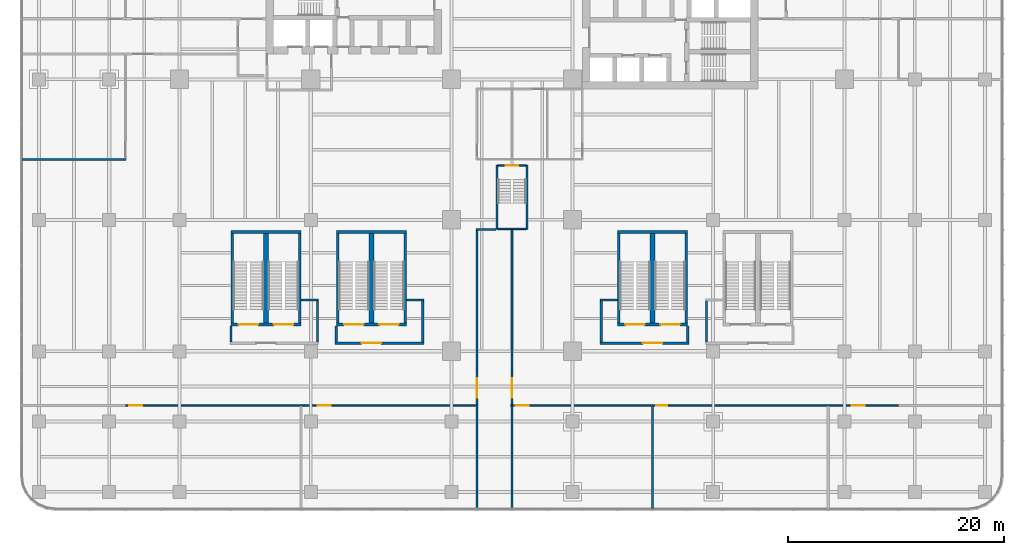
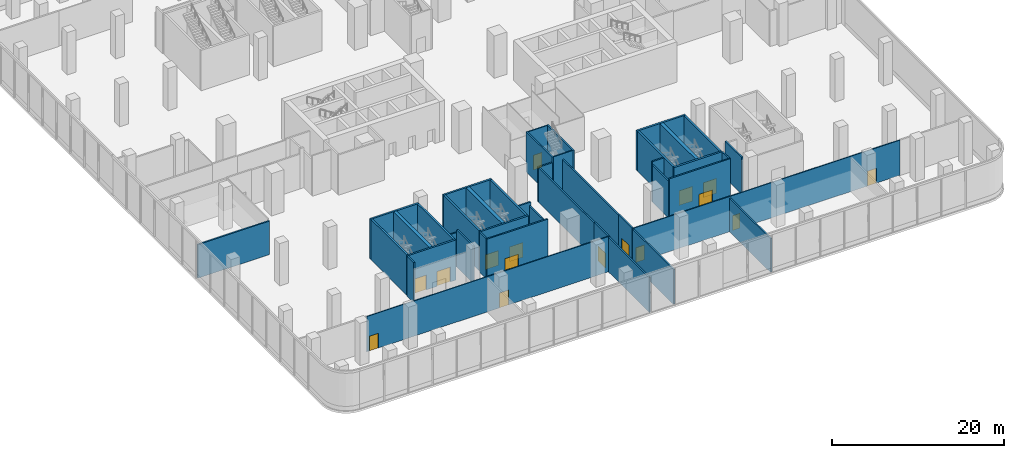
# One storey, part 33 of 41: 42 walls, 16 doors, 16 openings.
"""IFC4 building model written with IfcOpenShell, lengths in metres."""

import ifcopenshell
import ifcopenshell.guid

model = None  # the IFC model being written
_history = None  # IfcOwnerHistory: only IFC2X3 demands one
_inside = {}  # id of a spatial element -> (the spatial element, [elements in it])
_under = {}  # id of a project, library or spatial element -> (it, [spatial elements below it])
_declared = {}  # id of a project -> (the project, [libraries it declares])
_typed = {}  # id of a type object -> (the type object, [elements of that type])
_made_of = {}  # id of a material, layer set ... -> (it, [elements and type objects made of it])


def new_model(schema):
    """Start an empty IFC model of exactly this schema.

    Asked for "IFC4X3", IfcOpenShell would pick the latest addendum, in which some entities
    have other attributes; the version numbers below select the first issue.
    IFC2X3 requires an IfcOwnerHistory on every rooted entity: one is made here for all.
    """
    global model, _history
    if schema == "IFC4X3":
        model = ifcopenshell.file(schema_version=(4, 3, 0, 0))
    else:
        model = ifcopenshell.file(schema=schema)
    _inside.clear()
    _under.clear()
    _declared.clear()
    _typed.clear()
    _made_of.clear()
    _history = None
    if model.schema == "IFC2X3":
        org = make("IfcOrganization", Name="unknown")
        user = make(
            "IfcPersonAndOrganization",
            ThePerson=make("IfcPerson", FamilyName="unknown"),
            TheOrganization=org,
        )
        app = make(
            "IfcApplication",
            ApplicationDeveloper=org,
            Version="unknown",
            ApplicationFullName="unknown",
            ApplicationIdentifier="unknown",
        )
        _history = make(
            "IfcOwnerHistory",
            OwningUser=user,
            OwningApplication=app,
            ChangeAction="ADDED",
            CreationDate=0,
        )
    return model


def make(cls, **values):
    """One entity of the class cls with the attributes given. An attribute that is None is left unset."""
    return model.create_entity(
        cls, **{name: value for name, value in values.items() if value is not None}
    )


def rooted(cls, **values):
    """An entity with a GlobalId (a new one), such as an element, a storey or a relation."""
    return make(cls, GlobalId=ifcopenshell.guid.new(), OwnerHistory=_history, **values)


def si_unit(unit_type, name, prefix=None):
    """IfcSIUnit, for example si_unit("LENGTHUNIT", "METRE", prefix="MILLI")."""
    return make("IfcSIUnit", UnitType=unit_type, Prefix=prefix, Name=name)


def assignment(units):
    """IfcUnitAssignment: the units of a project."""
    return None if units is None else make("IfcUnitAssignment", Units=units)


def point(xyz):
    """IfcCartesianPoint."""
    return None if xyz is None else make("IfcCartesianPoint", Coordinates=xyz)


def direction(xyz):
    """IfcDirection."""
    return None if xyz is None else make("IfcDirection", DirectionRatios=xyz)


def frame(location, z_axis=None, x_axis=None):
    """IfcAxis2Placement3D, a coordinate frame: its origin and axes. An axis left out is left unset."""
    return make(
        "IfcAxis2Placement3D",
        Location=point(location),
        Axis=direction(z_axis),
        RefDirection=direction(x_axis),
    )


def frame_2d(location, x_axis=None):
    """IfcAxis2Placement2D, a coordinate frame in the plane: its origin and x axis."""
    return make(
        "IfcAxis2Placement2D", Location=point(location), RefDirection=direction(x_axis)
    )


def origin():
    """The frame at (0, 0, 0) with its axes left unset."""
    return frame((0.0, 0.0, 0.0))


def place(relative_to, where):
    """IfcLocalPlacement: puts the frame where relative to a parent placement (None: the world)."""
    return make(
        "IfcLocalPlacement", PlacementRelTo=relative_to, RelativePlacement=where
    )


def context(
    kind, dimensions, precision=None, world=None, true_north=None, identifier=None
):
    """IfcGeometricRepresentationContext, for example the 3D "Model" context."""
    return make(
        "IfcGeometricRepresentationContext",
        ContextIdentifier=identifier,
        ContextType=kind,
        CoordinateSpaceDimension=dimensions,
        Precision=precision,
        WorldCoordinateSystem=world,
        TrueNorth=true_north,
    )


def subcontext(parent, identifier, kind, view, scale=None):
    """IfcGeometricRepresentationSubContext, for example "Body" below "Model"."""
    return make(
        "IfcGeometricRepresentationSubContext",
        ContextIdentifier=identifier,
        ContextType=kind,
        ParentContext=parent,
        TargetScale=scale,
        TargetView=view,
    )


def project(units=None, contexts=None):
    """IfcProject with its units and contexts."""
    return rooted(
        "IfcProject",
        Name="project",
        RepresentationContexts=contexts,
        UnitsInContext=assignment(units),
    )


def spatial(cls, under=None, at=None, **own):
    """A site, building, storey or space (cls), placed at a placement, below another one or the project."""
    s = rooted(cls, ObjectPlacement=at, **own)
    if under is not None:
        _under.setdefault(under.id(), (under, []))[1].append(s)
    return s


def profile(cls, at=None, kind="AREA", **sizes):
    """A parametric profile (cls). Its sizes go by their IFC names, for example OverallWidth=200.0."""
    return make(cls, ProfileType=kind, Position=at, **sizes)


def rectangle(**sizes):
    """IfcRectangleProfileDef."""
    return profile("IfcRectangleProfileDef", **sizes)


def extrude(swept, where, along, depth):
    """IfcExtrudedAreaSolid: the profile swept, set in the frame where, extruded along a direction by depth."""
    return make(
        "IfcExtrudedAreaSolid",
        SweptArea=swept,
        Position=where,
        ExtrudedDirection=direction(along),
        Depth=depth,
    )


def shape(context_of_items, identifier, shape_type, items):
    """IfcShapeRepresentation: the items that make up one representation, for example the "Body"."""
    return make(
        "IfcShapeRepresentation",
        ContextOfItems=context_of_items,
        RepresentationIdentifier=identifier,
        RepresentationType=shape_type,
        Items=items,
    )


def source(mapping_origin, context_of_items, identifier, shape_type, items):
    """IfcRepresentationMap: a shape defined once, which mapped items show again and again."""
    return make(
        "IfcRepresentationMap",
        MappingOrigin=mapping_origin,
        MappedRepresentation=shape(context_of_items, identifier, shape_type, items),
    )


def transform(
    local_origin,
    x_axis=None,
    y_axis=None,
    z_axis=None,
    scale=None,
    scale2=None,
    scale3=None,
    uniform=True,
):
    """IfcCartesianTransformationOperator3D, or its non-uniform kind. x_axis, y_axis, z_axis: its Axis1, 2, 3."""
    if uniform:
        return make(
            "IfcCartesianTransformationOperator3D",
            Axis1=direction(x_axis),
            Axis2=direction(y_axis),
            LocalOrigin=point(local_origin),
            Scale=scale,
            Axis3=direction(z_axis),
        )
    return make(
        "IfcCartesianTransformationOperator3DnonUniform",
        Axis1=direction(x_axis),
        Axis2=direction(y_axis),
        LocalOrigin=point(local_origin),
        Scale=scale,
        Axis3=direction(z_axis),
        Scale2=scale2,
        Scale3=scale3,
    )


def mapped(mapping_source, mapping_target):
    """IfcMappedItem: shows the shape of a source again, moved by a transform."""
    return make(
        "IfcMappedItem", MappingSource=mapping_source, MappingTarget=mapping_target
    )


def material(Name=None, Category=None):
    """IfcMaterial."""
    return make("IfcMaterial", Name=Name, Category=Category)


def layer(
    of_material, thickness, ventilated=None, Name=None, Category=None, Priority=None
):
    """IfcMaterialLayer: one layer of a wall or slab, of a material (None: an air gap)."""
    return make(
        "IfcMaterialLayer",
        Material=of_material,
        LayerThickness=thickness,
        IsVentilated=ventilated,
        Name=Name,
        Category=Category,
        Priority=Priority,
    )


def layer_set(layers, Name=None):
    """IfcMaterialLayerSet."""
    return make("IfcMaterialLayerSet", MaterialLayers=layers, LayerSetName=Name)


def made_of(thing, what):
    """Note that an element or type object is made of a material, layer set ...; save() writes the relation."""
    if what is not None:
        _made_of.setdefault(what.id(), (what, []))[1].append(thing)
    return thing


def type_object(cls, material=None, **own):
    """A type object (cls), such as IfcWallType, which elements share."""
    return made_of(rooted(cls, **own), material)


def element(
    cls,
    number,
    at=None,
    inside=None,
    cuts=None,
    type_object=None,
    material=None,
    context=None,
    identifier="Body",
    shape_type=None,
    held_by="IfcProductDefinitionShape",
    body=None,
    shapes=None,
    **own,
):
    """One element of the class cls, such as IfcWall. Its Tag is "e" and its number.

    at: its placement. inside: the storey or other place that contains it. cuts: it is an
    opening in that element (IfcRelVoidsElement). A single representation is given by context,
    identifier, shape_type and body (its items); several are given by shapes. held_by: the class
    of the entity that holds the representations. save() writes the other relations.
    """
    e = rooted(cls, Tag="e%d" % number, ObjectPlacement=at, **own)
    if body is not None:
        shapes = [shape(context, identifier, shape_type, body)]
    if shapes is not None:
        e.Representation = make(held_by, Representations=shapes)
    if inside is not None:
        _inside.setdefault(inside.id(), (inside, []))[1].append(e)
    if cuts is not None:
        rooted(
            "IfcRelVoidsElement", RelatingBuildingElement=cuts, RelatedOpeningElement=e
        )
    if type_object is not None:
        _typed.setdefault(type_object.id(), (type_object, []))[1].append(e)
    return made_of(e, material)


def fill(opening, filler):
    """IfcRelFillsElement: the door or window that sits in an opening."""
    return rooted(
        "IfcRelFillsElement",
        RelatingOpeningElement=opening,
        RelatedBuildingElement=filler,
    )


def aggregate(whole, parts):
    """IfcRelAggregates: a whole, such as a stair, and the parts it consists of."""
    return rooted("IfcRelAggregates", RelatingObject=whole, RelatedObjects=parts)


def save(model, path):
    """Write the relations noted so far, then the file.

    IfcRelAggregates (storeys below a building ...), IfcRelContainedInSpatialStructure (elements
    in a storey), IfcRelDefinesByType, IfcRelAssociatesMaterial and IfcRelDeclares: one each for
    every whole, place, type object, material and project.
    """
    for whole, parts in _under.values():
        aggregate(whole, parts)
    for where, things in _inside.values():
        rooted(
            "IfcRelContainedInSpatialStructure",
            RelatedElements=things,
            RelatingStructure=where,
        )
    for kind, things in _typed.values():
        rooted("IfcRelDefinesByType", RelatedObjects=things, RelatingType=kind)
    for what, things in _made_of.values():
        rooted("IfcRelAssociatesMaterial", RelatedObjects=things, RelatingMaterial=what)
    for by, libraries in _declared.values():
        rooted("IfcRelDeclares", RelatingContext=by, RelatedDefinitions=libraries)
    model.write(path)


model = new_model("IFC4")

# Units and contexts
model_context = context("Model", 3, precision=1e-05, world=origin(), true_north=direction((0.0, 1.0)))
body_context = subcontext(model_context, "Body", "Model", "MODEL_VIEW")
ifc_project = project(units=[si_unit("LENGTHUNIT", "METRE"), si_unit("AREAUNIT", "SQUARE_METRE"), si_unit("VOLUMEUNIT", "CUBIC_METRE"), si_unit("PLANEANGLEUNIT", "RADIAN"), si_unit("MASSUNIT", "GRAM", prefix="KILO")], contexts=[model_context])

# Site, building, storey
site_placement = place(None, origin())
site = spatial("IfcSite", under=ifc_project, at=site_placement, CompositionType="ELEMENT")
building_placement = place(site_placement, origin())
building = spatial("IfcBuilding", under=site, at=building_placement, Name="Trellis Farm Tower", CompositionType="ELEMENT")
storey_placement = place(building_placement, frame((0.0, 0.0, 8.0)))
storey = spatial("IfcBuildingStorey", under=building, at=storey_placement, Name="L01", CompositionType="ELEMENT", Elevation=8.0)

# Wall
ifc_material_1 = material(Name="Lightweight blockwork, plastered", Category="masonry")
ifc_layer_1 = layer(ifc_material_1, 0.199951171875)
ifc_layer_set_1 = layer_set([ifc_layer_1], Name="BLOCK WALL 200 EI 120")
wall_type_1 = type_object("IfcWallType", Name="BLOCK WALL 200 EI 120", PredefinedType="PARTITIONING", material=ifc_layer_set_1)
wall_1_placement = place(storey_placement, frame((13.0, -45.300048828125, 0.0), z_axis=(0.0, 0.0, 1.0), x_axis=(0.0, 1.0, 0.0)))
element("IfcWall", 1, at=wall_1_placement, inside=storey, type_object=wall_type_1, Name="Partition PW3", PredefinedType="PARTITIONING", context=body_context, shape_type="SweptSolid", body=[
    extrude(rectangle(XDim=9.487548828125, YDim=0.199951171875, at=frame_2d((4.74365234375, 0.0))), origin(), (0.0, 0.0, 1.0), 4.76171875),
])

# Wall, openings, doors
ifc_material_2 = material(Name="Plasterboard on steel studs, mineral wool", Category="steel")
ifc_layer_2 = layer(ifc_material_2, 0.125)
ifc_layer_set_2 = layer_set([ifc_layer_2], Name="PARTITION 125 STUD EI 60")
wall_type_2 = type_object("IfcWallType", Name="PARTITION 125 STUD EI 60", PredefinedType="PARTITIONING", material=ifc_layer_set_2)
wall_2_placement = place(storey_placement, frame((-3.14990234375, -35.75, 0.0), z_axis=(0.0, 0.0, 1.0), x_axis=(-1.0, 0.0, 0.0)))
wall_2 = element("IfcWall", 2, at=wall_2_placement, inside=storey, type_object=wall_type_2, Name="Partition PW1", PredefinedType="PARTITIONING", context=body_context, shape_type="SweptSolid", body=[
    extrude(rectangle(XDim=32.60009765625, YDim=0.125, at=frame_2d((16.300048828125, 0.0))), origin(), (0.0, 0.0, 1.0), 4.99658203125),
])
shared_shape_1 = source(origin(), body_context, "Body", "SweptSolid", [
    extrude(rectangle(XDim=1.199951171875, YDim=2.10009765625, at=frame_2d((0.60009765625, 1.050048828125))), frame((0.0, 0.072509765625, 0.0), z_axis=(0.0, -1.0, 0.0), x_axis=(1.0, 0.0, 0.0)), (0.0, 0.0, 1.0), 0.14501953125),
])
opening_1_placement = place(wall_2_placement, frame((31.050048828125, 0.0, 0.0)))
opening_1 = element("IfcOpeningElement", 3, at=opening_1_placement, cuts=wall_2, Name="Opening D601", PredefinedType="OPENING", context=body_context, shape_type="MappedRepresentation", body=[
    mapped(shared_shape_1, transform((0.0, 0.0, 0.0))),
])
opening_2_placement = place(wall_2_placement, frame((13.60009765625, 0.0, 0.0)))
opening_2 = element("IfcOpeningElement", 4, at=opening_2_placement, cuts=wall_2, Name="Opening D602", PredefinedType="OPENING", context=body_context, shape_type="MappedRepresentation", body=[
    mapped(shared_shape_1, transform((0.0, 0.0, 0.0))),
])
ifc_material_3 = material(Name="Fire-rated timber door leaf in a hollow metal frame", Category="wood")
door_type_1 = type_object("IfcDoorType", Name="DOOR 1200x2100 FD30S", OperationType="NOTDEFINED", PredefinedType="DOOR", material=ifc_material_3)
shared_shape_2 = source(origin(), body_context, "Body", "SweptSolid", [
    extrude(rectangle(XDim=1.199951171875, YDim=2.10009765625, at=frame_2d((0.60009765625, 1.050048828125))), frame((0.0, 0.02490234375, 0.0), z_axis=(0.0, -1.0, 0.0), x_axis=(1.0, 0.0, 0.0)), (0.0, 0.0, 1.0), 0.050048828125),
])
door_1_placement = place(opening_1_placement, origin())
door_1 = element("IfcDoor", 5, at=door_1_placement, inside=storey, type_object=door_type_1, Name="Door D601", OperationType="SINGLE_SWING_RIGHT", OverallHeight=2.10009765625, OverallWidth=1.199951171875, PredefinedType="DOOR", context=body_context, shape_type="MappedRepresentation", body=[
    mapped(shared_shape_2, transform((0.0, 0.0, 0.0))),
])
fill(opening_1, door_1)
door_2_placement = place(opening_2_placement, origin())
door_2 = element("IfcDoor", 6, at=door_2_placement, inside=storey, type_object=door_type_1, Name="Door D602", OperationType="SINGLE_SWING_RIGHT", OverallHeight=2.10009765625, OverallWidth=1.199951171875, PredefinedType="DOOR", context=body_context, shape_type="MappedRepresentation", body=[
    mapped(shared_shape_2, transform((0.0, 0.0, 0.0))),
])
fill(opening_2, door_2)

wall_3_placement = place(storey_placement, frame((35.75, -35.75, 0.0), z_axis=(0.0, 0.0, 1.0), x_axis=(-1.0, 0.0, 0.0)))
wall_3 = element("IfcWall", 7, at=wall_3_placement, inside=storey, type_object=wall_type_2, Name="Partition PW1", PredefinedType="PARTITIONING", context=body_context, shape_type="SweptSolid", body=[
    extrude(rectangle(XDim=35.85009765625, YDim=0.125, at=frame_2d((17.925048828125, 0.0))), origin(), (0.0, 0.0, 1.0), 4.99658203125),
])
opening_3_placement = place(wall_3_placement, frame((34.199951171875, 0.0, 0.0)))
opening_3 = element("IfcOpeningElement", 8, at=opening_3_placement, cuts=wall_3, Name="Opening D603", PredefinedType="OPENING", context=body_context, shape_type="MappedRepresentation", body=[
    mapped(shared_shape_1, transform((0.0, 0.0, 0.0))),
])
shared_shape_3 = source(origin(), body_context, "Body", "SweptSolid", [
    extrude(rectangle(XDim=1.0, YDim=2.10009765625, at=frame_2d((0.5, 1.050048828125))), frame((0.0, 0.072509765625, 0.0), z_axis=(0.0, -1.0, 0.0), x_axis=(1.0, 0.0, 0.0)), (0.0, 0.0, 1.0), 0.14501953125),
])
opening_4_placement = place(wall_3_placement, frame((21.39990234375, 0.0, 0.0)))
opening_4 = element("IfcOpeningElement", 9, at=opening_4_placement, cuts=wall_3, Name="Opening D301", PredefinedType="OPENING", context=body_context, shape_type="MappedRepresentation", body=[
    mapped(shared_shape_3, transform((0.0, 0.0, 0.0))),
])
opening_5_placement = place(wall_3_placement, frame((3.14990234375, 0.0, 0.0)))
opening_5 = element("IfcOpeningElement", 10, at=opening_5_placement, cuts=wall_3, Name="Opening D604", PredefinedType="OPENING", context=body_context, shape_type="MappedRepresentation", body=[
    mapped(shared_shape_1, transform((0.0, 0.0, 0.0))),
])
door_type_2 = type_object("IfcDoorType", Name="DOOR 1000x2100 FD60", OperationType="NOTDEFINED", PredefinedType="DOOR", material=ifc_material_3)
shared_shape_4 = source(origin(), body_context, "Body", "SweptSolid", [
    extrude(rectangle(XDim=1.0, YDim=2.10009765625, at=frame_2d((0.5, 1.050048828125))), frame((0.0, 0.02490234375, 0.0), z_axis=(0.0, -1.0, 0.0), x_axis=(1.0, 0.0, 0.0)), (0.0, 0.0, 1.0), 0.050048828125),
])
door_3_placement = place(opening_4_placement, origin())
door_3 = element("IfcDoor", 11, at=door_3_placement, inside=storey, type_object=door_type_2, Name="Door D301", OperationType="SINGLE_SWING_RIGHT", OverallHeight=2.10009765625, OverallWidth=1.0, PredefinedType="DOOR", context=body_context, shape_type="MappedRepresentation", body=[
    mapped(shared_shape_4, transform((0.0, 0.0, 0.0))),
])
fill(opening_4, door_3)
door_4_placement = place(opening_3_placement, origin())
door_4 = element("IfcDoor", 12, at=door_4_placement, inside=storey, type_object=door_type_1, Name="Door D603", OperationType="SINGLE_SWING_RIGHT", OverallHeight=2.10009765625, OverallWidth=1.199951171875, PredefinedType="DOOR", context=body_context, shape_type="MappedRepresentation", body=[
    mapped(shared_shape_2, transform((0.0, 0.0, 0.0))),
])
fill(opening_3, door_4)
door_5_placement = place(opening_5_placement, origin())
door_5 = element("IfcDoor", 13, at=door_5_placement, inside=storey, type_object=door_type_1, Name="Door D604", OperationType="SINGLE_SWING_RIGHT", OverallHeight=2.10009765625, OverallWidth=1.199951171875, PredefinedType="DOOR", context=body_context, shape_type="MappedRepresentation", body=[
    mapped(shared_shape_2, transform((0.0, 0.0, 0.0))),
])
fill(opening_5, door_5)

# Walls
ifc_material_4 = material(Name="Concrete C80/95", Category="concrete")
ifc_layer_3 = layer(ifc_material_4, 0.199951171875)
ifc_layer_set_3 = layer_set([ifc_layer_3], Name="CORE STAIR ENCLOSURE WALL 200 CONCRETE C80/95")
wall_type_3 = type_object("IfcWallType", Name="CORE STAIR ENCLOSURE WALL 200 CONCRETE C80/95", PredefinedType="SHEAR", material=ifc_layer_set_3)
shared_shape_5 = source(origin(), body_context, "Body", "SweptSolid", [
    extrude(rectangle(XDim=6.0, YDim=0.199951171875, at=frame_2d((3.0, 0.0))), origin(), (0.0, 0.0, 1.0), 5.699951171875),
])
for number, where, z_axis, x_axis, name in (
    (14, (1.39990234375, -13.5, 0.0), (0.0, 0.0, 1.0), (0.0, -1.0, 0.0), "Stair enclosure wall"),
    (15, (-1.39990234375, -13.5, 0.0), (0.0, 0.0, 1.0), (0.0, -1.0, 0.0), "Stair enclosure wall"),
):
    element("IfcWall", number, at=place(storey_placement, frame(where, z_axis=z_axis, x_axis=x_axis)), inside=storey, type_object=wall_type_3, Name=name, PredefinedType="SHEAR", context=body_context, shape_type="MappedRepresentation", body=[
        mapped(shared_shape_5, transform((0.0, 0.0, 0.0))),
    ])

# Wall, opening, door
ifc_layer_4 = layer(ifc_material_4, 0.14990234375)
ifc_layer_set_4 = layer_set([ifc_layer_4], Name="CORE STAIR ENCLOSURE WALL 150 CONCRETE C80/95")
wall_type_4 = type_object("IfcWallType", Name="CORE STAIR ENCLOSURE WALL 150 CONCRETE C80/95", PredefinedType="SHEAR", material=ifc_layer_set_4)
shared_shape_6 = source(origin(), body_context, "Body", "SweptSolid", [
    extrude(rectangle(XDim=2.60009765625, YDim=0.14990234375, at=frame_2d((1.300048828125, 0.0))), origin(), (0.0, 0.0, 1.0), 5.699951171875),
])
wall_4_placement = place(storey_placement, frame((1.300048828125, -13.574951171875, 0.0), z_axis=(0.0, 0.0, 1.0), x_axis=(-1.0, 0.0, 0.0)))
wall_4 = element("IfcWall", 16, at=wall_4_placement, inside=storey, type_object=wall_type_4, Name="Stair enclosure wall", PredefinedType="SHEAR", context=body_context, shape_type="MappedRepresentation", body=[
    mapped(shared_shape_6, transform((0.0, 0.0, 0.0))),
])
shared_shape_7 = source(origin(), body_context, "Body", "SweptSolid", [
    extrude(rectangle(XDim=1.199951171875, YDim=2.10009765625, at=frame_2d((0.60009765625, 1.050048828125))), frame((0.0, 0.0849609375, 0.0), z_axis=(0.0, -1.0, 0.0), x_axis=(1.0, 0.0, 0.0)), (0.0, 0.0, 1.0), 0.169921875),
])
opening_6_placement = place(wall_4_placement, frame((0.699951171875, 0.0, 0.0)))
opening_6 = element("IfcOpeningElement", 17, at=opening_6_placement, cuts=wall_4, Name="Opening DC174", PredefinedType="OPENING", context=body_context, shape_type="MappedRepresentation", body=[
    mapped(shared_shape_7, transform((0.0, 0.0, 0.0))),
])
ifc_material_5 = material(Name="Steel", Category="steel")
door_type_3 = type_object("IfcDoorType", Name="CORE FIRE DOOR 1200 X 2100", OperationType="NOTDEFINED", PredefinedType="DOOR", material=ifc_material_5)
door_6_placement = place(opening_6_placement, origin())
door_6 = element("IfcDoor", 18, at=door_6_placement, inside=storey, type_object=door_type_3, Name="Core door", OperationType="SINGLE_SWING_RIGHT", OverallHeight=2.10009765625, OverallWidth=1.199951171875, PredefinedType="DOOR", context=body_context, shape_type="MappedRepresentation", body=[
    mapped(shared_shape_2, transform((0.0, 0.0, 0.0))),
])
fill(opening_6, door_6)

# Wall
wall_5_placement = place(storey_placement, frame((1.300048828125, -19.425048828125, 0.0), z_axis=(0.0, 0.0, 1.0), x_axis=(-1.0, 0.0, 0.0)))
element("IfcWall", 19, at=wall_5_placement, inside=storey, type_object=wall_type_4, Name="Stair enclosure wall", PredefinedType="SHEAR", context=body_context, shape_type="MappedRepresentation", body=[
    mapped(shared_shape_6, transform((0.0, 0.0, 0.0))),
])

# Wall, openings, doors
ifc_layer_5 = layer(ifc_material_4, 0.25)
ifc_layer_set_5 = layer_set([ifc_layer_5], Name="CORE STAIR ENCLOSURE WALL 250 CONCRETE C80/95")
wall_type_5 = type_object("IfcWallType", Name="CORE STAIR ENCLOSURE WALL 250 CONCRETE C80/95", PredefinedType="SHEAR", material=ifc_layer_set_5)
shared_shape_8 = source(origin(), body_context, "Body", "SweptSolid", [
    extrude(rectangle(XDim=6.5, YDim=0.25, at=frame_2d((3.25, 0.0))), origin(), (0.0, 0.0, 1.0), 5.699951171875),
])
wall_6_placement = place(storey_placement, frame((-26.0, -28.27490234375, 0.0), z_axis=(0.0, 0.0, 1.0), x_axis=(1.0, 0.0, 0.0)))
wall_6 = element("IfcWall", 20, at=wall_6_placement, inside=storey, type_object=wall_type_5, Name="Podium stair enclosure wall", PredefinedType="SHEAR", context=body_context, shape_type="MappedRepresentation", body=[
    mapped(shared_shape_8, transform((0.0, 0.0, 0.0))),
])
shared_shape_9 = source(origin(), body_context, "Body", "SweptSolid", [
    extrude(rectangle(XDim=1.800048828125, YDim=2.10009765625, at=frame_2d((0.89990234375, 1.050048828125))), frame((0.0, 0.135009765625, 0.0), z_axis=(0.0, -1.0, 0.0), x_axis=(1.0, 0.0, 0.0)), (0.0, 0.0, 1.0), 0.27001953125),
])
opening_7_placement = place(wall_6_placement, frame((0.72509765625, 0.0, 0.0)))
opening_7 = element("IfcOpeningElement", 21, at=opening_7_placement, cuts=wall_6, Name="Opening DP9", PredefinedType="OPENING", context=body_context, shape_type="MappedRepresentation", body=[
    mapped(shared_shape_9, transform((0.0, 0.0, 0.0))),
])
opening_8_placement = place(wall_6_placement, frame((3.97509765625, 0.0, 0.0)))
opening_8 = element("IfcOpeningElement", 22, at=opening_8_placement, cuts=wall_6, Name="Opening DP10", PredefinedType="OPENING", context=body_context, shape_type="MappedRepresentation", body=[
    mapped(shared_shape_9, transform((0.0, 0.0, 0.0))),
])
door_type_4 = type_object("IfcDoorType", Name="CORE FIRE DOOR DOUBLE 1800 X 2100", OperationType="DOUBLE_DOOR_SINGLE_SWING", PredefinedType="DOOR", material=ifc_material_5)
shared_shape_10 = source(origin(), body_context, "Body", "SweptSolid", [
    extrude(rectangle(XDim=1.800048828125, YDim=2.10009765625, at=frame_2d((0.89990234375, 1.050048828125))), frame((0.0, 0.02490234375, 0.0), z_axis=(0.0, -1.0, 0.0), x_axis=(1.0, 0.0, 0.0)), (0.0, 0.0, 1.0), 0.050048828125),
])
door_7_placement = place(opening_7_placement, origin())
door_7 = element("IfcDoor", 23, at=door_7_placement, inside=storey, type_object=door_type_4, Name="Podium stair door", OperationType="DOUBLE_DOOR_SINGLE_SWING", OverallHeight=2.10009765625, OverallWidth=1.800048828125, PredefinedType="DOOR", context=body_context, shape_type="MappedRepresentation", body=[
    mapped(shared_shape_10, transform((0.0, 0.0, 0.0))),
])
fill(opening_7, door_7)
door_8_placement = place(opening_8_placement, origin())
door_8 = element("IfcDoor", 24, at=door_8_placement, inside=storey, type_object=door_type_4, Name="Podium stair door", OperationType="DOUBLE_DOOR_SINGLE_SWING", OverallHeight=2.10009765625, OverallWidth=1.800048828125, PredefinedType="DOOR", context=body_context, shape_type="MappedRepresentation", body=[
    mapped(shared_shape_10, transform((0.0, 0.0, 0.0))),
])
fill(opening_8, door_8)

# Wall
wall_7_placement = place(storey_placement, frame((-26.0, -19.72509765625, 0.0), z_axis=(0.0, 0.0, 1.0), x_axis=(1.0, 0.0, 0.0)))
element("IfcWall", 25, at=wall_7_placement, inside=storey, type_object=wall_type_5, Name="Podium stair enclosure wall", PredefinedType="SHEAR", context=body_context, shape_type="MappedRepresentation", body=[
    mapped(shared_shape_8, transform((0.0, 0.0, 0.0))),
])

# Wall, openings, doors
wall_8_placement = place(storey_placement, frame((-16.25, -28.27490234375, 0.0), z_axis=(0.0, 0.0, 1.0), x_axis=(1.0, 0.0, 0.0)))
wall_8 = element("IfcWall", 26, at=wall_8_placement, inside=storey, type_object=wall_type_5, Name="Podium stair enclosure wall", PredefinedType="SHEAR", context=body_context, shape_type="MappedRepresentation", body=[
    mapped(shared_shape_8, transform((0.0, 0.0, 0.0))),
])
opening_9_placement = place(wall_8_placement, frame((0.72509765625, 0.0, 0.0)))
opening_9 = element("IfcOpeningElement", 27, at=opening_9_placement, cuts=wall_8, Name="Opening DP11", PredefinedType="OPENING", context=body_context, shape_type="MappedRepresentation", body=[
    mapped(shared_shape_9, transform((0.0, 0.0, 0.0))),
])
opening_10_placement = place(wall_8_placement, frame((3.97509765625, 0.0, 0.0)))
opening_10 = element("IfcOpeningElement", 28, at=opening_10_placement, cuts=wall_8, Name="Opening DP12", PredefinedType="OPENING", context=body_context, shape_type="MappedRepresentation", body=[
    mapped(shared_shape_9, transform((0.0, 0.0, 0.0))),
])
door_9_placement = place(opening_9_placement, origin())
door_9 = element("IfcDoor", 29, at=door_9_placement, inside=storey, type_object=door_type_4, Name="Podium stair door", OperationType="DOUBLE_DOOR_SINGLE_SWING", OverallHeight=2.10009765625, OverallWidth=1.800048828125, PredefinedType="DOOR", context=body_context, shape_type="MappedRepresentation", body=[
    mapped(shared_shape_10, transform((0.0, 0.0, 0.0))),
])
fill(opening_9, door_9)
door_10_placement = place(opening_10_placement, origin())
door_10 = element("IfcDoor", 30, at=door_10_placement, inside=storey, type_object=door_type_4, Name="Podium stair door", OperationType="DOUBLE_DOOR_SINGLE_SWING", OverallHeight=2.10009765625, OverallWidth=1.800048828125, PredefinedType="DOOR", context=body_context, shape_type="MappedRepresentation", body=[
    mapped(shared_shape_10, transform((0.0, 0.0, 0.0))),
])
fill(opening_10, door_10)

# Wall
wall_9_placement = place(storey_placement, frame((-16.25, -19.72509765625, 0.0), z_axis=(0.0, 0.0, 1.0), x_axis=(1.0, 0.0, 0.0)))
element("IfcWall", 31, at=wall_9_placement, inside=storey, type_object=wall_type_5, Name="Podium stair enclosure wall", PredefinedType="SHEAR", context=body_context, shape_type="MappedRepresentation", body=[
    mapped(shared_shape_8, transform((0.0, 0.0, 0.0))),
])

# Wall, openings, doors
wall_10_placement = place(storey_placement, frame((9.75, -28.27490234375, 0.0), z_axis=(0.0, 0.0, 1.0), x_axis=(1.0, 0.0, 0.0)))
wall_10 = element("IfcWall", 32, at=wall_10_placement, inside=storey, type_object=wall_type_5, Name="Podium stair enclosure wall", PredefinedType="SHEAR", context=body_context, shape_type="MappedRepresentation", body=[
    mapped(shared_shape_8, transform((0.0, 0.0, 0.0))),
])
opening_11_placement = place(wall_10_placement, frame((0.72509765625, 0.0, 0.0)))
opening_11 = element("IfcOpeningElement", 33, at=opening_11_placement, cuts=wall_10, Name="Opening DP13", PredefinedType="OPENING", context=body_context, shape_type="MappedRepresentation", body=[
    mapped(shared_shape_9, transform((0.0, 0.0, 0.0))),
])
opening_12_placement = place(wall_10_placement, frame((3.97509765625, 0.0, 0.0)))
opening_12 = element("IfcOpeningElement", 34, at=opening_12_placement, cuts=wall_10, Name="Opening DP14", PredefinedType="OPENING", context=body_context, shape_type="MappedRepresentation", body=[
    mapped(shared_shape_9, transform((0.0, 0.0, 0.0))),
])
door_11_placement = place(opening_11_placement, origin())
door_11 = element("IfcDoor", 35, at=door_11_placement, inside=storey, type_object=door_type_4, Name="Podium stair door", OperationType="DOUBLE_DOOR_SINGLE_SWING", OverallHeight=2.10009765625, OverallWidth=1.800048828125, PredefinedType="DOOR", context=body_context, shape_type="MappedRepresentation", body=[
    mapped(shared_shape_10, transform((0.0, 0.0, 0.0))),
])
fill(opening_11, door_11)
door_12_placement = place(opening_12_placement, origin())
door_12 = element("IfcDoor", 36, at=door_12_placement, inside=storey, type_object=door_type_4, Name="Podium stair door", OperationType="DOUBLE_DOOR_SINGLE_SWING", OverallHeight=2.10009765625, OverallWidth=1.800048828125, PredefinedType="DOOR", context=body_context, shape_type="MappedRepresentation", body=[
    mapped(shared_shape_10, transform((0.0, 0.0, 0.0))),
])
fill(opening_12, door_12)

# Walls
wall_11_placement = place(storey_placement, frame((9.75, -19.72509765625, 0.0), z_axis=(0.0, 0.0, 1.0), x_axis=(1.0, 0.0, 0.0)))
element("IfcWall", 37, at=wall_11_placement, inside=storey, type_object=wall_type_5, Name="Podium stair enclosure wall", PredefinedType="SHEAR", context=body_context, shape_type="MappedRepresentation", body=[
    mapped(shared_shape_8, transform((0.0, 0.0, 0.0))),
])
shared_shape_11 = source(origin(), body_context, "Body", "SweptSolid", [
    extrude(rectangle(XDim=8.2998046875, YDim=0.25, at=frame_2d((4.14990234375, 0.0))), origin(), (0.0, 0.0, 1.0), 5.699951171875),
])
for number, where, z_axis, x_axis, name in (
    (38, (-25.875, -28.14990234375, 0.0), (0.0, 0.0, 1.0), (0.0, 1.0, 0.0), "Podium stair enclosure wall"),
    (39, (-19.625, -28.14990234375, 0.0), (0.0, 0.0, 1.0), (0.0, 1.0, 0.0), "Podium stair enclosure wall"),
    (40, (-16.125, -28.14990234375, 0.0), (0.0, 0.0, 1.0), (0.0, 1.0, 0.0), "Podium stair enclosure wall"),
    (41, (-9.875, -28.14990234375, 0.0), (0.0, 0.0, 1.0), (0.0, 1.0, 0.0), "Podium stair enclosure wall"),
    (42, (9.875, -28.14990234375, 0.0), (0.0, 0.0, 1.0), (0.0, 1.0, 0.0), "Podium stair enclosure wall"),
    (43, (16.125, -28.14990234375, 0.0), (0.0, 0.0, 1.0), (0.0, 1.0, 0.0), "Podium stair enclosure wall"),
):
    element("IfcWall", number, at=place(storey_placement, frame(where, z_axis=z_axis, x_axis=x_axis)), inside=storey, type_object=wall_type_5, Name=name, PredefinedType="SHEAR", context=body_context, shape_type="MappedRepresentation", body=[
        mapped(shared_shape_11, transform((0.0, 0.0, 0.0))),
    ])
ifc_layer_6 = layer(ifc_material_4, 0.43994140625)
ifc_layer_set_6 = layer_set([ifc_layer_6], Name="CORE STAIR ENCLOSURE WALL 440 CONCRETE C80/95")
wall_type_6 = type_object("IfcWallType", Name="CORE STAIR ENCLOSURE WALL 440 CONCRETE C80/95", PredefinedType="SHEAR", material=ifc_layer_set_6)
shared_shape_12 = source(origin(), body_context, "Body", "SweptSolid", [
    extrude(rectangle(XDim=8.2998046875, YDim=0.43994140625, at=frame_2d((4.14990234375, 0.0))), origin(), (0.0, 0.0, 1.0), 5.699951171875),
])
for number, where, z_axis, x_axis, name in (
    (44, (-22.75, -28.14990234375, 0.0), (0.0, 0.0, 1.0), (0.0, 1.0, 0.0), "Podium stair enclosure wall"),
    (45, (-13.0, -28.14990234375, 0.0), (0.0, 0.0, 1.0), (0.0, 1.0, 0.0), "Podium stair enclosure wall"),
    (46, (13.0, -28.14990234375, 0.0), (0.0, 0.0, 1.0), (0.0, 1.0, 0.0), "Podium stair enclosure wall"),
):
    element("IfcWall", number, at=place(storey_placement, frame(where, z_axis=z_axis, x_axis=x_axis)), inside=storey, type_object=wall_type_6, Name=name, PredefinedType="SHEAR", context=body_context, shape_type="MappedRepresentation", body=[
        mapped(shared_shape_12, transform((0.0, 0.0, 0.0))),
    ])
shared_shape_13 = source(origin(), body_context, "Body", "SweptSolid", [
    extrude(rectangle(XDim=1.5, YDim=0.199951171875, at=frame_2d((0.75, 0.0))), origin(), (0.0, 0.0, 1.0), 5.699951171875),
])
for number, where, z_axis, x_axis, name in (
    (47, (-26.0, -28.39990234375, 0.0), (0.0, 0.0, 1.0), (0.0, -1.0, 0.0), "Partition PW3"),
    (48, (-16.25, -29.89990234375, 0.0), (0.0, 0.0, 1.0), (0.0, 1.0, 0.0), "Partition PW3"),
    (49, (16.25, -29.89990234375, 0.0), (0.0, 0.0, 1.0), (0.0, 1.0, 0.0), "Partition PW3"),
):
    element("IfcWall", number, at=place(storey_placement, frame(where, z_axis=z_axis, x_axis=x_axis)), inside=storey, type_object=wall_type_1, Name=name, PredefinedType="PARTITIONING", context=body_context, shape_type="MappedRepresentation", body=[
        mapped(shared_shape_13, transform((0.0, 0.0, 0.0))),
    ])
shared_shape_14 = source(origin(), body_context, "Body", "SweptSolid", [
    extrude(rectangle(XDim=3.7998046875, YDim=0.199951171875, at=frame_2d((1.89990234375, 0.0))), origin(), (0.0, 0.0, 1.0), 5.222900390625),
])
for number, where, z_axis, x_axis, name in (
    (50, (-18.0, -26.10009765625, 0.0), (0.0, 0.0, 1.0), (0.0, -1.0, 0.0), "Partition PW3"),
    (51, (-8.25, -29.89990234375, 0.0), (0.0, 0.0, 1.0), (0.0, 1.0, 0.0), "Partition PW3"),
    (52, (8.25, -29.89990234375, 0.0), (0.0, 0.0, 1.0), (0.0, 1.0, 0.0), "Partition PW3"),
    (53, (18.0, -29.89990234375, 0.0), (0.0, 0.0, 1.0), (0.0, 1.0, 0.0), "Partition PW3"),
):
    element("IfcWall", number, at=place(storey_placement, frame(where, z_axis=z_axis, x_axis=x_axis)), inside=storey, type_object=wall_type_1, Name=name, PredefinedType="PARTITIONING", context=body_context, shape_type="MappedRepresentation", body=[
        mapped(shared_shape_14, transform((0.0, 0.0, 0.0))),
    ])
shared_shape_15 = source(origin(), body_context, "Body", "SweptSolid", [
    extrude(rectangle(XDim=12.89990234375, YDim=0.199951171875, at=frame_2d((6.449951171875, 0.0))), origin(), (0.0, 0.0, 1.0), 4.917724609375),
])
wall_12_placement = place(storey_placement, frame((-3.25, -32.5, 0.0), z_axis=(0.0, 0.0, 1.0), x_axis=(0.0, 1.0, 0.0)))
element("IfcWall", 54, at=wall_12_placement, inside=storey, type_object=wall_type_1, Name="Partition PW3", PredefinedType="PARTITIONING", context=body_context, shape_type="MappedRepresentation", body=[
    mapped(shared_shape_15, transform((0.0, 0.0, 0.0))),
])

# Wall, opening, door
shared_shape_16 = source(origin(), body_context, "Body", "SweptSolid", [
    extrude(rectangle(XDim=3.1875, YDim=0.199951171875, at=frame_2d((1.59375, 0.0))), origin(), (0.0, 0.0, 1.0), 4.99658203125),
])
wall_13_placement = place(storey_placement, frame((-3.25, -35.6875, 0.0), z_axis=(0.0, 0.0, 1.0), x_axis=(0.0, 1.0, 0.0)))
wall_13 = element("IfcWall", 55, at=wall_13_placement, inside=storey, type_object=wall_type_1, Name="Partition PW3", PredefinedType="PARTITIONING", context=body_context, shape_type="MappedRepresentation", body=[
    mapped(shared_shape_16, transform((0.0, 0.0, 0.0))),
])
shared_shape_17 = source(origin(), body_context, "Body", "SweptSolid", [
    extrude(rectangle(XDim=1.800048828125, YDim=2.10009765625, at=frame_2d((0.89990234375, 1.050048828125))), frame((0.0, 0.110107421875, 0.0), z_axis=(0.0, -1.0, 0.0), x_axis=(1.0, 0.0, 0.0)), (0.0, 0.0, 1.0), 0.22021484375),
])
opening_13_placement = place(wall_13_placement, frame((0.66259765625, 0.0, 0.0)))
opening_13 = element("IfcOpeningElement", 56, at=opening_13_placement, cuts=wall_13, Name="Opening D401", PredefinedType="OPENING", context=body_context, shape_type="MappedRepresentation", body=[
    mapped(shared_shape_17, transform((0.0, 0.0, 0.0))),
])
door_type_5 = type_object("IfcDoorType", Name="DOOR PAIR 1800x2100 FD60", OperationType="NOTDEFINED", PredefinedType="DOOR", material=ifc_material_3)
door_13_placement = place(opening_13_placement, origin())
door_13 = element("IfcDoor", 57, at=door_13_placement, inside=storey, type_object=door_type_5, Name="Door D401", OperationType="DOUBLE_DOOR_SINGLE_SWING", OverallHeight=2.10009765625, OverallWidth=1.800048828125, PredefinedType="DOOR", context=body_context, shape_type="MappedRepresentation", body=[
    mapped(shared_shape_10, transform((0.0, 0.0, 0.0))),
])
fill(opening_13, door_13)

wall_14_placement = place(storey_placement, frame((0.0, -32.5, 0.0), z_axis=(0.0, 0.0, 1.0), x_axis=(0.0, -1.0, 0.0)))
wall_14 = element("IfcWall", 58, at=wall_14_placement, inside=storey, type_object=wall_type_1, Name="Partition PW3", PredefinedType="PARTITIONING", context=body_context, shape_type="MappedRepresentation", body=[
    mapped(shared_shape_16, transform((0.0, 0.0, 0.0))),
])
opening_14_placement = place(wall_14_placement, frame((0.72509765625, 0.0, 0.0)))
opening_14 = element("IfcOpeningElement", 59, at=opening_14_placement, cuts=wall_14, Name="Opening D402", PredefinedType="OPENING", context=body_context, shape_type="MappedRepresentation", body=[
    mapped(shared_shape_17, transform((0.0, 0.0, 0.0))),
])
door_14_placement = place(opening_14_placement, origin())
door_14 = element("IfcDoor", 60, at=door_14_placement, inside=storey, type_object=door_type_5, Name="Door D402", OperationType="DOUBLE_DOOR_SINGLE_SWING", OverallHeight=2.10009765625, OverallWidth=1.800048828125, PredefinedType="DOOR", context=body_context, shape_type="MappedRepresentation", body=[
    mapped(shared_shape_10, transform((0.0, 0.0, 0.0))),
])
fill(opening_14, door_14)

# Walls
shared_shape_18 = source(origin(), body_context, "Body", "SweptSolid", [
    extrude(rectangle(XDim=9.487548828125, YDim=0.199951171875, at=frame_2d((4.74365234375, 0.0))), origin(), (0.0, 0.0, 1.0), 4.917724609375),
])
for number, where, z_axis, x_axis, name in (
    (61, (-3.25, -45.300048828125, 0.0), (0.0, 0.0, 1.0), (0.0, 1.0, 0.0), "Partition PW3"),
    (62, (0.0, -35.8125, 0.0), (0.0, 0.0, 1.0), (0.0, -1.0, 0.0), "Partition PW3"),
):
    element("IfcWall", number, at=place(storey_placement, frame(where, z_axis=z_axis, x_axis=x_axis)), inside=storey, type_object=wall_type_1, Name=name, PredefinedType="PARTITIONING", context=body_context, shape_type="MappedRepresentation", body=[
        mapped(shared_shape_18, transform((0.0, 0.0, 0.0))),
    ])
shared_shape_19 = source(origin(), body_context, "Body", "SweptSolid", [
    extrude(rectangle(XDim=13.0, YDim=0.199951171875, at=frame_2d((6.5, 0.0))), origin(), (0.0, 0.0, 1.0), 4.917724609375),
])
wall_15_placement = place(storey_placement, frame((0.0, -32.5, 0.0), z_axis=(0.0, 0.0, 1.0), x_axis=(0.0, 1.0, 0.0)))
element("IfcWall", 63, at=wall_15_placement, inside=storey, type_object=wall_type_1, Name="Partition PW3", PredefinedType="PARTITIONING", context=body_context, shape_type="MappedRepresentation", body=[
    mapped(shared_shape_19, transform((0.0, 0.0, 0.0))),
])

# Wall, opening, door
shared_shape_20 = source(origin(), body_context, "Body", "SweptSolid", [
    extrude(rectangle(XDim=8.2001953125, YDim=0.199951171875, at=frame_2d((4.10009765625, 0.0))), origin(), (0.0, 0.0, 1.0), 5.699951171875),
])
wall_16_placement = place(storey_placement, frame((-16.35009765625, -30.0, 0.0), z_axis=(0.0, 0.0, 1.0), x_axis=(1.0, 0.0, 0.0)))
wall_16 = element("IfcWall", 64, at=wall_16_placement, inside=storey, type_object=wall_type_1, Name="Partition PW3", PredefinedType="PARTITIONING", context=body_context, shape_type="MappedRepresentation", body=[
    mapped(shared_shape_20, transform((0.0, 0.0, 0.0))),
])
opening_15_placement = place(wall_16_placement, frame((2.449951171875, 0.0, 0.0)))
opening_15 = element("IfcOpeningElement", 65, at=opening_15_placement, cuts=wall_16, Name="Opening D404", PredefinedType="OPENING", context=body_context, shape_type="MappedRepresentation", body=[
    mapped(shared_shape_17, transform((0.0, 0.0, 0.0))),
])
door_15_placement = place(opening_15_placement, origin())
door_15 = element("IfcDoor", 66, at=door_15_placement, inside=storey, type_object=door_type_5, Name="Door D404", OperationType="DOUBLE_DOOR_SINGLE_SWING", OverallHeight=2.10009765625, OverallWidth=1.800048828125, PredefinedType="DOOR", context=body_context, shape_type="MappedRepresentation", body=[
    mapped(shared_shape_10, transform((0.0, 0.0, 0.0))),
])
fill(opening_15, door_15)

wall_17_placement = place(storey_placement, frame((8.14990234375, -30.0, 0.0), z_axis=(0.0, 0.0, 1.0), x_axis=(1.0, 0.0, 0.0)))
wall_17 = element("IfcWall", 67, at=wall_17_placement, inside=storey, type_object=wall_type_1, Name="Partition PW3", PredefinedType="PARTITIONING", context=body_context, shape_type="MappedRepresentation", body=[
    mapped(shared_shape_20, transform((0.0, 0.0, 0.0))),
])
opening_16_placement = place(wall_17_placement, frame((3.949951171875, 0.0, 0.0)))
opening_16 = element("IfcOpeningElement", 68, at=opening_16_placement, cuts=wall_17, Name="Opening D405", PredefinedType="OPENING", context=body_context, shape_type="MappedRepresentation", body=[
    mapped(shared_shape_17, transform((0.0, 0.0, 0.0))),
])
door_16_placement = place(opening_16_placement, origin())
door_16 = element("IfcDoor", 69, at=door_16_placement, inside=storey, type_object=door_type_5, Name="Door D405", OperationType="DOUBLE_DOOR_SINGLE_SWING", OverallHeight=2.10009765625, OverallWidth=1.800048828125, PredefinedType="DOOR", context=body_context, shape_type="MappedRepresentation", body=[
    mapped(shared_shape_10, transform((0.0, 0.0, 0.0))),
])
fill(opening_16, door_16)

# Walls
shared_shape_21 = source(origin(), body_context, "Body", "SweptSolid", [
    extrude(rectangle(XDim=1.60009765625, YDim=0.199951171875, at=frame_2d((0.800048828125, 0.0))), origin(), (0.0, 0.0, 1.0), 5.699951171875),
])
for number, where, z_axis, x_axis, name in (
    (70, (-9.75, -26.0, 0.0), (0.0, 0.0, 1.0), (1.0, 0.0, 0.0), "Partition PW3"),
    (71, (8.14990234375, -26.0, 0.0), (0.0, 0.0, 1.0), (1.0, 0.0, 0.0), "Partition PW3"),
):
    element("IfcWall", number, at=place(storey_placement, frame(where, z_axis=z_axis, x_axis=x_axis)), inside=storey, type_object=wall_type_1, Name=name, PredefinedType="PARTITIONING", context=body_context, shape_type="MappedRepresentation", body=[
        mapped(shared_shape_21, transform((0.0, 0.0, 0.0))),
    ])
shared_shape_22 = source(origin(), body_context, "Body", "SweptSolid", [
    extrude(rectangle(XDim=1.60009765625, YDim=0.199951171875, at=frame_2d((0.800048828125, 0.0))), origin(), (0.0, 0.0, 1.0), 4.83935546875),
])
wall_18_placement = place(storey_placement, frame((-19.5, -26.0, 0.0), z_axis=(0.0, 0.0, 1.0), x_axis=(1.0, 0.0, 0.0)))
element("IfcWall", 72, at=wall_18_placement, inside=storey, type_object=wall_type_1, Name="Partition PW3", PredefinedType="PARTITIONING", context=body_context, shape_type="MappedRepresentation", body=[
    mapped(shared_shape_22, transform((0.0, 0.0, 0.0))),
])
shared_shape_23 = source(origin(), body_context, "Body", "SweptSolid", [
    extrude(rectangle(XDim=9.612548828125, YDim=0.199951171875, at=frame_2d((4.80615234375, 0.0))), origin(), (0.0, 0.0, 1.0), 4.76171875),
])
wall_19_placement = place(storey_placement, frame((-45.300048828125, -13.0, 0.0), z_axis=(0.0, 0.0, 1.0), x_axis=(1.0, 0.0, 0.0)))
element("IfcWall", 73, at=wall_19_placement, inside=storey, type_object=wall_type_1, Name="Partition PW3", PredefinedType="PARTITIONING", context=body_context, shape_type="MappedRepresentation", body=[
    mapped(shared_shape_23, transform((0.0, 0.0, 0.0))),
])
shared_shape_24 = source(origin(), body_context, "Body", "SweptSolid", [
    extrude(rectangle(XDim=1.85009765625, YDim=0.199951171875, at=frame_2d((0.925048828125, 0.0))), origin(), (0.0, 0.0, 1.0), 4.99658203125),
])
wall_20_placement = place(storey_placement, frame((-3.35009765625, -19.5, 0.0), z_axis=(0.0, 0.0, 1.0), x_axis=(1.0, 0.0, 0.0)))
element("IfcWall", 74, at=wall_20_placement, inside=storey, type_object=wall_type_1, Name="Partition PW3", PredefinedType="PARTITIONING", context=body_context, shape_type="MappedRepresentation", body=[
    mapped(shared_shape_24, transform((0.0, 0.0, 0.0))),
])

save(model, "model.ifc")
